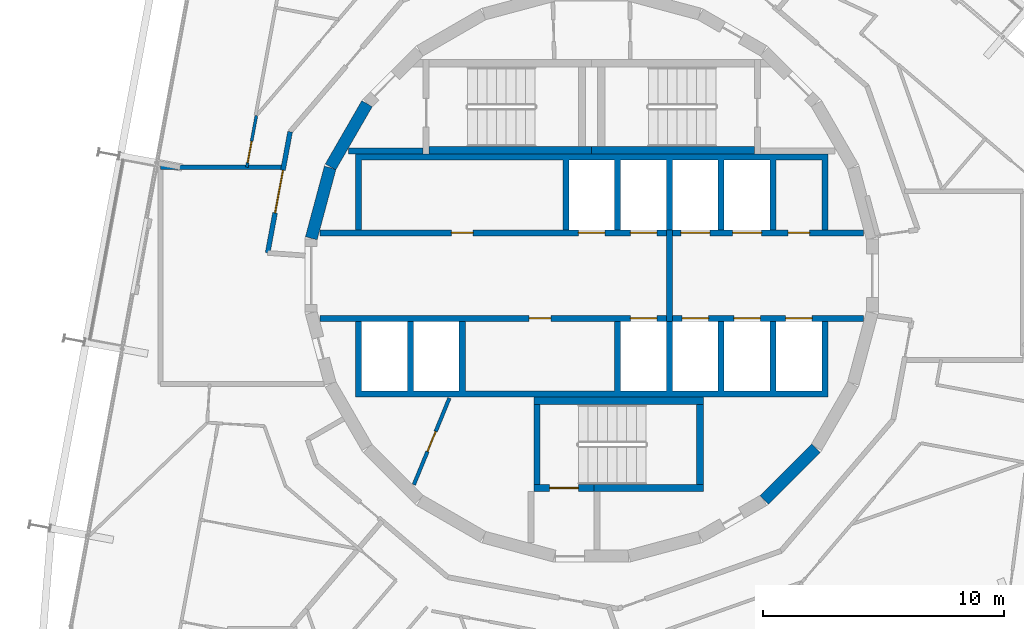
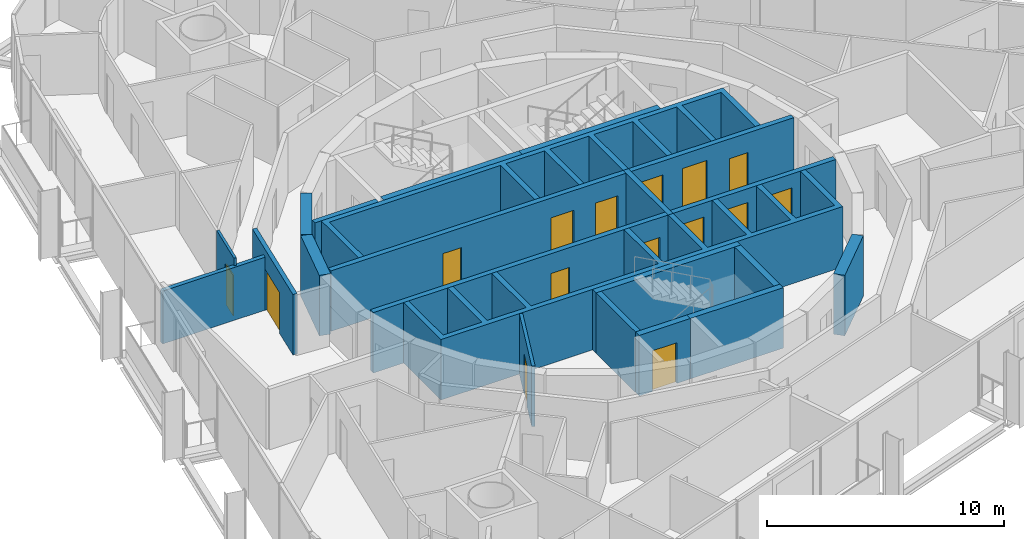
# One storey, part 12 of 17: 22 walls, 15 doors, 15 openings.
"""IFC4 building model written with IfcOpenShell, lengths in metres."""

from ifc_helpers import new_model, si_unit, direction, frame, frame_2d, origin, place, context, subcontext, project, spatial, polyline, rectangle, outline, extrude, material, layer, layer_set, type_object, element, fill, save


model = new_model("IFC4")

# Units and contexts
model_context = context("Model", 3, precision=1e-05, world=origin(), true_north=direction((0.0, 1.0)))
body_context = subcontext(model_context, "Body", "Model", "MODEL_VIEW")
ifc_project = project(units=[si_unit("LENGTHUNIT", "METRE"), si_unit("AREAUNIT", "SQUARE_METRE"), si_unit("VOLUMEUNIT", "CUBIC_METRE"), si_unit("PLANEANGLEUNIT", "RADIAN"), si_unit("MASSUNIT", "GRAM", prefix="KILO")], contexts=[model_context])

# Site, building, storey
site_placement = place(None, origin())
site = spatial("IfcSite", under=ifc_project, at=site_placement, CompositionType="ELEMENT")
building_placement = place(site_placement, origin())
building = spatial("IfcBuilding", under=site, at=building_placement, Name="Spindle Arch Residences", CompositionType="ELEMENT")
storey_placement = place(building_placement, frame((0.0, 0.0, 172.699951171875)))
storey = spatial("IfcBuildingStorey", under=building, at=storey_placement, Name="L43", CompositionType="ELEMENT", Elevation=172.699951171875)

# Walls
ifc_material_1 = material(Name="Concrete C50/60", Category="concrete")
ifc_layer_1 = layer(ifc_material_1, 0.5)
ifc_layer_set_1 = layer_set([ifc_layer_1], Name="Core outline wall 500")
wall_type_1 = type_object("IfcWallType", Name="Core outline wall 500", PredefinedType="SHEAR", material=ifc_layer_set_1)
wall_1_placement = place(storey_placement, frame((7.163818359375, -9.30810546875, 0.0), z_axis=(0.0, 0.0, 1.0), x_axis=(0.707106781187, 0.707106781187, 0.0)))
element("IfcWall", 1, at=wall_1_placement, inside=storey, type_object=wall_type_1, Name="Core outline wall 3", PredefinedType="SHEAR", context=body_context, shape_type="SweptSolid", body=[
    extrude(rectangle(XDim=3.032470703125, YDim=0.5, at=frame_2d((1.51611328125, 0.0))), origin(), (0.0, 0.0, 1.0), 3.1201171875),
])
for number, where, z_axis, x_axis, name in (
    (2, (-9.32861328125, 7.13671875, 0.0), (0.0, 0.0, 1.0), (-0.500087131594, -0.865975092491, 0.0), "Core outline wall 16"),
    (3, (-10.858154296875, 4.479248046875, 0.0), (0.0, 0.0, 1.0), (-0.258734743916, -0.965948410781, 0.0), "Core outline wall 17"),
):
    element("IfcWall", number, at=place(storey_placement, frame(where, z_axis=z_axis, x_axis=x_axis)), inside=storey, type_object=wall_type_1, Name=name, PredefinedType="SHEAR", context=body_context, shape_type="SweptSolid", body=[
        extrude(rectangle(XDim=3.03271484375, YDim=0.5, at=frame_2d((1.516357421875, 0.0))), origin(), (0.0, 0.0, 1.0), 3.1201171875),
    ])

# Wall, openings, doors
ifc_material_2 = material(Name="Concrete C40/50", Category="concrete")
ifc_layer_2 = layer(ifc_material_2, 0.25)
ifc_layer_set_2 = layer_set([ifc_layer_2], Name="Fire-lift lobby wall 250")
wall_type_2 = type_object("IfcWallType", Name="Fire-lift lobby wall 250", PredefinedType="SHEAR", material=ifc_layer_set_2)
wall_2_placement = place(storey_placement, frame((3.35009765625, 1.77490234375, 0.0), z_axis=(0.0, 0.0, 1.0), x_axis=(1.0, 0.0, 0.0)))
wall_2 = element("IfcWall", 4, at=wall_2_placement, inside=storey, type_object=wall_type_2, Name="Lift shaft front wall NE", PredefinedType="SHEAR", context=body_context, shape_type="SweptSolid", body=[
    extrude(rectangle(XDim=7.929931640625, YDim=0.25, at=frame_2d((3.96484375, 0.0))), origin(), (0.0, 0.0, 1.0), 3.1201171875),
])
opening_1_placement = place(wall_2_placement, frame((0.35009765625, 0.0, 0.0)))
opening_1 = element("IfcOpeningElement", 5, at=opening_1_placement, cuts=wall_2, Name="Opening R4C0-SLD01", PredefinedType="OPENING", context=body_context, shape_type="SweptSolid", body=[
    extrude(rectangle(XDim=1.199951171875, YDim=2.39990234375, at=frame_2d((0.60009765625, 1.199951171875))), frame((0.0, 0.135009765625, 0.0), z_axis=(0.0, -1.0, 0.0), x_axis=(1.0, 0.0, 0.0)), (0.0, 0.0, 1.0), 0.27001953125),
])
opening_2_placement = place(wall_2_placement, frame((2.5, 0.0, 0.0)))
opening_2 = element("IfcOpeningElement", 6, at=opening_2_placement, cuts=wall_2, Name="Opening R4C0-SLD02", PredefinedType="OPENING", context=body_context, shape_type="SweptSolid", body=[
    extrude(rectangle(XDim=1.199951171875, YDim=2.39990234375, at=frame_2d((0.60009765625, 1.199951171875))), frame((0.0, 0.135009765625, 0.0), z_axis=(0.0, -1.0, 0.0), x_axis=(1.0, 0.0, 0.0)), (0.0, 0.0, 1.0), 0.27001953125),
])
opening_3_placement = place(wall_2_placement, frame((4.800048828125, 0.0, 0.0)))
opening_3 = element("IfcOpeningElement", 7, at=opening_3_placement, cuts=wall_2, Name="Opening R4C0-WD02", PredefinedType="OPENING", context=body_context, shape_type="SweptSolid", body=[
    extrude(rectangle(XDim=0.89990234375, YDim=2.10009765625, at=frame_2d((0.449951171875, 1.050048828125))), frame((0.0, 0.135009765625, 0.0), z_axis=(0.0, -1.0, 0.0), x_axis=(1.0, 0.0, 0.0)), (0.0, 0.0, 1.0), 0.27001953125),
])
ifc_material_3 = material(Name="Steel, fire-resisting landing door", Category="steel")
door_type_1 = type_object("IfcDoorType", Name="Service lift landing door 1200x2400", OperationType="DOUBLE_DOOR_SLIDING", PredefinedType="DOOR", material=ifc_material_3)
door_1_placement = place(opening_1_placement, origin())
door_1 = element("IfcDoor", 8, at=door_1_placement, inside=storey, type_object=door_type_1, Name="Service lift landing door R4C0-SLD01", OperationType="DOUBLE_DOOR_SLIDING", OverallHeight=2.39990234375, OverallWidth=1.199951171875, PredefinedType="DOOR", context=body_context, shape_type="SweptSolid", body=[
    extrude(rectangle(XDim=1.199951171875, YDim=2.39990234375, at=frame_2d((0.60009765625, 1.199951171875))), frame((0.0, 0.02490234375, 0.0), z_axis=(0.0, -1.0, 0.0), x_axis=(1.0, 0.0, 0.0)), (0.0, 0.0, 1.0), 0.050048828125),
])
fill(opening_1, door_1)
door_2_placement = place(opening_2_placement, origin())
door_2 = element("IfcDoor", 9, at=door_2_placement, inside=storey, type_object=door_type_1, Name="Service lift landing door R4C0-SLD02", OperationType="DOUBLE_DOOR_SLIDING", OverallHeight=2.39990234375, OverallWidth=1.199951171875, PredefinedType="DOOR", context=body_context, shape_type="SweptSolid", body=[
    extrude(rectangle(XDim=1.199951171875, YDim=2.39990234375, at=frame_2d((0.60009765625, 1.199951171875))), frame((0.0, 0.02490234375, 0.0), z_axis=(0.0, -1.0, 0.0), x_axis=(1.0, 0.0, 0.0)), (0.0, 0.0, 1.0), 0.050048828125),
])
fill(opening_2, door_2)
ifc_material_4 = material(Name="Steel, fire-resisting door", Category="steel")
door_type_2 = type_object("IfcDoorType", Name="Service room door 900x2100", OperationType="SINGLE_SWING_LEFT", PredefinedType="DOOR", material=ifc_material_4)
door_3_placement = place(opening_3_placement, origin())
door_3 = element("IfcDoor", 10, at=door_3_placement, inside=storey, type_object=door_type_2, Name="Service room door R4C0-WD02", OperationType="SINGLE_SWING_RIGHT", OverallHeight=2.10009765625, OverallWidth=0.89990234375, PredefinedType="DOOR", context=body_context, shape_type="SweptSolid", body=[
    extrude(rectangle(XDim=0.89990234375, YDim=2.10009765625, at=frame_2d((0.449951171875, 1.050048828125))), frame((0.0, 0.02490234375, 0.0), z_axis=(0.0, -1.0, 0.0), x_axis=(1.0, 0.0, 0.0)), (0.0, 0.0, 1.0), 0.050048828125),
])
fill(opening_3, door_3)

# Wall
wall_3_placement = place(storey_placement, frame((3.22509765625, -1.89990234375, 0.0), z_axis=(0.0, 0.0, 1.0), x_axis=(0.0, 1.0, 0.0)))
element("IfcWall", 11, at=wall_3_placement, inside=storey, type_object=wall_type_2, Name="Fire-fighting lobby partition", PredefinedType="SHEAR", context=body_context, shape_type="SweptSolid", body=[
    extrude(rectangle(XDim=3.7998046875, YDim=0.25, at=frame_2d((1.89990234375, 0.0))), origin(), (0.0, 0.0, 1.0), 3.1201171875),
])

# Wall, openings, doors
ifc_material_5 = material(Name="Concrete C50/60", Category="concrete")
ifc_layer_3 = layer(ifc_material_5, 0.25)
ifc_layer_set_3 = layer_set([ifc_layer_3], Name="Fire-lift shaft wall 250")
wall_type_3 = type_object("IfcWallType", Name="Fire-lift shaft wall 250", PredefinedType="SHEAR", material=ifc_layer_set_3)
wall_4_placement = place(storey_placement, frame((3.35009765625, -1.77490234375, 0.0), z_axis=(0.0, 0.0, 1.0), x_axis=(1.0, 0.0, 0.0)))
wall_4 = element("IfcWall", 12, at=wall_4_placement, inside=storey, type_object=wall_type_3, Name="Lift shaft front wall SE", PredefinedType="SHEAR", context=body_context, shape_type="SweptSolid", body=[
    extrude(rectangle(XDim=7.929931640625, YDim=0.25, at=frame_2d((3.96484375, 0.0))), origin(), (0.0, 0.0, 1.0), 3.1201171875),
])
opening_4_placement = place(wall_4_placement, frame((0.39990234375, 0.0, 0.0)))
opening_4 = element("IfcOpeningElement", 13, at=opening_4_placement, cuts=wall_4, Name="Opening R4C0-FLD01", PredefinedType="OPENING", context=body_context, shape_type="SweptSolid", body=[
    extrude(rectangle(XDim=1.10009765625, YDim=2.39990234375, at=frame_2d((0.550048828125, 1.199951171875))), frame((0.0, 0.135009765625, 0.0), z_axis=(0.0, -1.0, 0.0), x_axis=(1.0, 0.0, 0.0)), (0.0, 0.0, 1.0), 0.27001953125),
])
opening_5_placement = place(wall_4_placement, frame((2.550048828125, 0.0, 0.0)))
opening_5 = element("IfcOpeningElement", 14, at=opening_5_placement, cuts=wall_4, Name="Opening R4C0-FLD02", PredefinedType="OPENING", context=body_context, shape_type="SweptSolid", body=[
    extrude(rectangle(XDim=1.10009765625, YDim=2.39990234375, at=frame_2d((0.550048828125, 1.199951171875))), frame((0.0, 0.135009765625, 0.0), z_axis=(0.0, -1.0, 0.0), x_axis=(1.0, 0.0, 0.0)), (0.0, 0.0, 1.0), 0.27001953125),
])
opening_6_placement = place(wall_4_placement, frame((4.699951171875, 0.0, 0.0)))
opening_6 = element("IfcOpeningElement", 15, at=opening_6_placement, cuts=wall_4, Name="Opening R4C0-FLD03", PredefinedType="OPENING", context=body_context, shape_type="SweptSolid", body=[
    extrude(rectangle(XDim=1.10009765625, YDim=2.39990234375, at=frame_2d((0.550048828125, 1.199951171875))), frame((0.0, 0.135009765625, 0.0), z_axis=(0.0, -1.0, 0.0), x_axis=(1.0, 0.0, 0.0)), (0.0, 0.0, 1.0), 0.27001953125),
])
ifc_material_6 = material(Name="Steel, fire-resisting landing door", Category="steel")
door_type_3 = type_object("IfcDoorType", Name="Fire-fighting lift landing door 1100x2400", OperationType="DOUBLE_DOOR_SLIDING", PredefinedType="DOOR", material=ifc_material_6)
door_4_placement = place(opening_4_placement, origin())
door_4 = element("IfcDoor", 16, at=door_4_placement, inside=storey, type_object=door_type_3, Name="Fire-fighting lift landing door R4C0-FLD01", OperationType="DOUBLE_DOOR_SLIDING", OverallHeight=2.39990234375, OverallWidth=1.10009765625, PredefinedType="DOOR", context=body_context, shape_type="SweptSolid", body=[
    extrude(rectangle(XDim=1.10009765625, YDim=2.39990234375, at=frame_2d((0.550048828125, 1.199951171875))), frame((0.0, 0.02490234375, 0.0), z_axis=(0.0, -1.0, 0.0), x_axis=(1.0, 0.0, 0.0)), (0.0, 0.0, 1.0), 0.050048828125),
])
fill(opening_4, door_4)
door_5_placement = place(opening_5_placement, origin())
door_5 = element("IfcDoor", 17, at=door_5_placement, inside=storey, type_object=door_type_3, Name="Fire-fighting lift landing door R4C0-FLD02", OperationType="DOUBLE_DOOR_SLIDING", OverallHeight=2.39990234375, OverallWidth=1.10009765625, PredefinedType="DOOR", context=body_context, shape_type="SweptSolid", body=[
    extrude(rectangle(XDim=1.10009765625, YDim=2.39990234375, at=frame_2d((0.550048828125, 1.199951171875))), frame((0.0, 0.02490234375, 0.0), z_axis=(0.0, -1.0, 0.0), x_axis=(1.0, 0.0, 0.0)), (0.0, 0.0, 1.0), 0.050048828125),
])
fill(opening_5, door_5)
door_6_placement = place(opening_6_placement, origin())
door_6 = element("IfcDoor", 18, at=door_6_placement, inside=storey, type_object=door_type_3, Name="Fire-fighting lift landing door R4C0-FLD03", OperationType="DOUBLE_DOOR_SLIDING", OverallHeight=2.39990234375, OverallWidth=1.10009765625, PredefinedType="DOOR", context=body_context, shape_type="SweptSolid", body=[
    extrude(rectangle(XDim=1.10009765625, YDim=2.39990234375, at=frame_2d((0.550048828125, 1.199951171875))), frame((0.0, 0.02490234375, 0.0), z_axis=(0.0, -1.0, 0.0), x_axis=(1.0, 0.0, 0.0)), (0.0, 0.0, 1.0), 0.050048828125),
])
fill(opening_6, door_6)

# Wall, opening, door
ifc_material_7 = material(Name="Plasterboard on steel studs", Category="steel")
ifc_layer_4 = layer(ifc_material_7, 0.1201171875)
ifc_layer_set_4 = layer_set([ifc_layer_4], Name="Flat partition 120")
wall_type_4 = type_object("IfcWallType", Name="Flat partition 120", PredefinedType="PARTITIONING", material=ifc_layer_set_4)
wall_5_placement = place(storey_placement, frame((-13.9228515625, 6.640869140625, 0.0), z_axis=(0.0, 0.0, 1.0), x_axis=(-0.182209715759, -0.983259690765, 0.0)))
wall_5 = element("IfcWall", 19, at=wall_5_placement, inside=storey, type_object=wall_type_4, Name="Flat partition R4C0-W071", PredefinedType="PARTITIONING", context=body_context, shape_type="SweptSolid", body=[
    extrude(rectangle(XDim=2.17724609375, YDim=0.1201171875, at=frame_2d((1.088623046875, 0.0))), origin(), (0.0, 0.0, 1.0), 3.1201171875),
])
opening_7_placement = place(wall_5_placement, frame((1.08349609375, 0.0, 0.0)))
opening_7 = element("IfcOpeningElement", 20, at=opening_7_placement, cuts=wall_5, Name="Opening R4C0-ID12", PredefinedType="OPENING", context=body_context, shape_type="SweptSolid", body=[
    extrude(rectangle(XDim=0.89990234375, YDim=2.10009765625, at=frame_2d((0.449951171875, 1.050048828125))), frame((0.0, 0.070068359375, 0.0), z_axis=(0.0, -1.0, 0.0), x_axis=(1.0, 0.0, 0.0)), (0.0, 0.0, 1.0), 0.14013671875),
])
ifc_material_8 = material(Name="Timber door set", Category="wood")
door_type_4 = type_object("IfcDoorType", Name="Room door 900x2100", OperationType="NOTDEFINED", PredefinedType="DOOR", material=ifc_material_8)
door_7_placement = place(opening_7_placement, origin())
door_7 = element("IfcDoor", 21, at=door_7_placement, inside=storey, type_object=door_type_4, Name="Room door R4C0-ID12", OperationType="SINGLE_SWING_LEFT", OverallHeight=2.10009765625, OverallWidth=0.89990234375, PredefinedType="DOOR", context=body_context, shape_type="SweptSolid", body=[
    extrude(rectangle(XDim=0.89990234375, YDim=2.10009765625, at=frame_2d((0.449951171875, 1.050048828125))), frame((0.0, 0.02490234375, 0.0), z_axis=(0.0, -1.0, 0.0), x_axis=(1.0, 0.0, 0.0)), (0.0, 0.0, 1.0), 0.050048828125),
])
fill(opening_7, door_7)

ifc_material_9 = material(Name="Calcium silicate block, plastered")
ifc_layer_5 = layer(ifc_material_9, 0.199951171875)
ifc_layer_set_5 = layer_set([ifc_layer_5], Name="Lift lobby bay wall 200")
wall_type_5 = type_object("IfcWallType", Name="Lift lobby bay wall 200", PredefinedType="STANDARD", material=ifc_layer_set_5)
wall_6_placement = place(storey_placement, frame((-12.521240234375, 5.972412109375, 0.0), z_axis=(0.0, 0.0, 1.0), x_axis=(-0.182251559718, -0.983251935661, 0.0)))
wall_6 = element("IfcWall", 22, at=wall_6_placement, inside=storey, type_object=wall_type_5, Name="Lift lobby bay wall R4C0-W007", PredefinedType="STANDARD", context=body_context, shape_type="SweptSolid", body=[
    extrude(rectangle(XDim=5.1171875, YDim=0.199951171875, at=frame_2d((2.55859375, 0.0))), origin(), (0.0, 0.0, 1.0), 3.1201171875),
])
opening_8_placement = place(wall_6_placement, frame((1.62744140625, 0.0, 0.0)))
opening_8 = element("IfcOpeningElement", 23, at=opening_8_placement, cuts=wall_6, Name="Opening R4C0-LB01", PredefinedType="OPENING", context=body_context, shape_type="SweptSolid", body=[
    extrude(rectangle(XDim=1.800048828125, YDim=2.10009765625, at=frame_2d((0.89990234375, 1.050048828125))), frame((0.0, 0.10986328125, 0.0), z_axis=(0.0, -1.0, 0.0), x_axis=(1.0, 0.0, 0.0)), (0.0, 0.0, 1.0), 0.219970703125),
])
ifc_material_10 = material(Name="Steel, fire-resisting door", Category="steel")
door_type_5 = type_object("IfcDoorType", Name="Lift lobby bay door 1800x2100", OperationType="NOTDEFINED", PredefinedType="DOOR", material=ifc_material_10)
door_8_placement = place(opening_8_placement, origin())
door_8 = element("IfcDoor", 24, at=door_8_placement, inside=storey, type_object=door_type_5, Name="Lift lobby bay door R4C0-LB01", OperationType="DOUBLE_DOOR_SINGLE_SWING", OverallHeight=2.10009765625, OverallWidth=1.800048828125, PredefinedType="DOOR", context=body_context, shape_type="SweptSolid", body=[
    extrude(rectangle(XDim=1.800048828125, YDim=2.10009765625, at=frame_2d((0.89990234375, 1.050048828125))), frame((0.0, 0.02490234375, 0.0), z_axis=(0.0, -1.0, 0.0), x_axis=(1.0, 0.0, 0.0)), (0.0, 0.0, 1.0), 0.050048828125),
])
fill(opening_8, door_8)

# Wall
ifc_material_11 = material(Name="Calcium silicate block, plastered")
ifc_layer_6 = layer(ifc_material_11, 0.199951171875)
ifc_layer_set_6 = layer_set([ifc_layer_6], Name="Lift lobby bay wall 200 under beam 2730")
wall_type_6 = type_object("IfcWallType", Name="Lift lobby bay wall 200 under beam 2730", PredefinedType="STANDARD", material=ifc_layer_set_6)
wall_7_placement = place(storey_placement, frame((-12.794189453125, 4.5, 0.0), z_axis=(0.0, 0.0, 1.0), x_axis=(-1.0, 0.0, 0.0)))
element("IfcWall", 25, at=wall_7_placement, inside=storey, type_object=wall_type_6, Name="Lift lobby bay wall R4C0-W020", PredefinedType="STANDARD", context=body_context, shape_type="SweptSolid", body=[
    extrude(rectangle(XDim=5.105712890625, YDim=0.199951171875, at=frame_2d((2.552734375, 0.0))), origin(), (0.0, 0.0, 1.0), 2.72998046875),
])

# Wall, openings, doors
ifc_material_12 = material(Name="Concrete C50/60", Category="concrete")
ifc_layer_7 = layer(ifc_material_12, 0.25)
ifc_layer_set_7 = layer_set([ifc_layer_7], Name="Lift shaft wall 250")
wall_type_7 = type_object("IfcWallType", Name="Lift shaft wall 250", PredefinedType="SHEAR", material=ifc_layer_set_7)
wall_8_placement = place(storey_placement, frame((-11.280029296875, 1.77490234375, 0.0), z_axis=(0.0, 0.0, 1.0), x_axis=(1.0, 0.0, 0.0)))
wall_8 = element("IfcWall", 26, at=wall_8_placement, inside=storey, type_object=wall_type_7, Name="Lift shaft front wall NW", PredefinedType="SHEAR", context=body_context, shape_type="SweptSolid", body=[
    extrude(rectangle(XDim=14.380126953125, YDim=0.25, at=frame_2d((7.18994140625, 0.0))), origin(), (0.0, 0.0, 1.0), 3.1201171875),
])
opening_9_placement = place(wall_8_placement, frame((10.72998046875, 0.0, 0.0)))
opening_9 = element("IfcOpeningElement", 27, at=opening_9_placement, cuts=wall_8, Name="Opening R4C0-LD01", PredefinedType="OPENING", context=body_context, shape_type="SweptSolid", body=[
    extrude(rectangle(XDim=1.10009765625, YDim=2.10009765625, at=frame_2d((0.550048828125, 1.050048828125))), frame((0.0, 0.135009765625, 0.0), z_axis=(0.0, -1.0, 0.0), x_axis=(1.0, 0.0, 0.0)), (0.0, 0.0, 1.0), 0.27001953125),
])
opening_10_placement = place(wall_8_placement, frame((12.8798828125, 0.0, 0.0)))
opening_10 = element("IfcOpeningElement", 28, at=opening_10_placement, cuts=wall_8, Name="Opening R4C0-LD02", PredefinedType="OPENING", context=body_context, shape_type="SweptSolid", body=[
    extrude(rectangle(XDim=1.10009765625, YDim=2.10009765625, at=frame_2d((0.550048828125, 1.050048828125))), frame((0.0, 0.135009765625, 0.0), z_axis=(0.0, -1.0, 0.0), x_axis=(1.0, 0.0, 0.0)), (0.0, 0.0, 1.0), 0.27001953125),
])
opening_11_placement = place(wall_8_placement, frame((5.455078125, 0.0, 0.0)))
opening_11 = element("IfcOpeningElement", 29, at=opening_11_placement, cuts=wall_8, Name="Opening R4C0-WD01", PredefinedType="OPENING", context=body_context, shape_type="SweptSolid", body=[
    extrude(rectangle(XDim=0.89990234375, YDim=2.10009765625, at=frame_2d((0.449951171875, 1.050048828125))), frame((0.0, 0.135009765625, 0.0), z_axis=(0.0, -1.0, 0.0), x_axis=(1.0, 0.0, 0.0)), (0.0, 0.0, 1.0), 0.27001953125),
])
ifc_material_13 = material(Name="Steel, fire-resisting landing door", Category="steel")
door_type_6 = type_object("IfcDoorType", Name="Lift landing door 1100x2100", OperationType="DOUBLE_DOOR_SLIDING", PredefinedType="DOOR", material=ifc_material_13)
door_9_placement = place(opening_9_placement, origin())
door_9 = element("IfcDoor", 30, at=door_9_placement, inside=storey, type_object=door_type_6, Name="Lift landing door R4C0-LD01", OperationType="DOUBLE_DOOR_SLIDING", OverallHeight=2.10009765625, OverallWidth=1.10009765625, PredefinedType="DOOR", context=body_context, shape_type="SweptSolid", body=[
    extrude(rectangle(XDim=1.10009765625, YDim=2.10009765625, at=frame_2d((0.550048828125, 1.050048828125))), frame((0.0, 0.02490234375, 0.0), z_axis=(0.0, -1.0, 0.0), x_axis=(1.0, 0.0, 0.0)), (0.0, 0.0, 1.0), 0.050048828125),
])
fill(opening_9, door_9)
door_10_placement = place(opening_10_placement, origin())
door_10 = element("IfcDoor", 31, at=door_10_placement, inside=storey, type_object=door_type_6, Name="Lift landing door R4C0-LD02", OperationType="DOUBLE_DOOR_SLIDING", OverallHeight=2.10009765625, OverallWidth=1.10009765625, PredefinedType="DOOR", context=body_context, shape_type="SweptSolid", body=[
    extrude(rectangle(XDim=1.10009765625, YDim=2.10009765625, at=frame_2d((0.550048828125, 1.050048828125))), frame((0.0, 0.02490234375, 0.0), z_axis=(0.0, -1.0, 0.0), x_axis=(1.0, 0.0, 0.0)), (0.0, 0.0, 1.0), 0.050048828125),
])
fill(opening_10, door_10)
door_11_placement = place(opening_11_placement, origin())
door_11 = element("IfcDoor", 32, at=door_11_placement, inside=storey, type_object=door_type_2, Name="Service room door R4C0-WD01", OperationType="SINGLE_SWING_LEFT", OverallHeight=2.10009765625, OverallWidth=0.89990234375, PredefinedType="DOOR", context=body_context, shape_type="SweptSolid", body=[
    extrude(rectangle(XDim=0.89990234375, YDim=2.10009765625, at=frame_2d((0.449951171875, 1.050048828125))), frame((0.0, 0.02490234375, 0.0), z_axis=(0.0, -1.0, 0.0), x_axis=(1.0, 0.0, 0.0)), (0.0, 0.0, 1.0), 0.050048828125),
])
fill(opening_11, door_11)

wall_9_placement = place(storey_placement, frame((-11.280029296875, -1.77490234375, 0.0), z_axis=(0.0, 0.0, 1.0), x_axis=(1.0, 0.0, 0.0)))
wall_9 = element("IfcWall", 33, at=wall_9_placement, inside=storey, type_object=wall_type_7, Name="Lift shaft front wall SW", PredefinedType="SHEAR", context=body_context, shape_type="SweptSolid", body=[
    extrude(rectangle(XDim=14.380126953125, YDim=0.25, at=frame_2d((7.18994140625, 0.0))), origin(), (0.0, 0.0, 1.0), 3.1201171875),
])
opening_12_placement = place(wall_9_placement, frame((12.8798828125, 0.0, 0.0)))
opening_12 = element("IfcOpeningElement", 34, at=opening_12_placement, cuts=wall_9, Name="Opening R4C0-LD03", PredefinedType="OPENING", context=body_context, shape_type="SweptSolid", body=[
    extrude(rectangle(XDim=1.10009765625, YDim=2.10009765625, at=frame_2d((0.550048828125, 1.050048828125))), frame((0.0, 0.135009765625, 0.0), z_axis=(0.0, -1.0, 0.0), x_axis=(1.0, 0.0, 0.0)), (0.0, 0.0, 1.0), 0.27001953125),
])
opening_13_placement = place(wall_9_placement, frame((8.679931640625, 0.0, 0.0)))
opening_13 = element("IfcOpeningElement", 35, at=opening_13_placement, cuts=wall_9, Name="Opening R4C0-WD03", PredefinedType="OPENING", context=body_context, shape_type="SweptSolid", body=[
    extrude(rectangle(XDim=0.89990234375, YDim=2.10009765625, at=frame_2d((0.449951171875, 1.050048828125))), frame((0.0, 0.135009765625, 0.0), z_axis=(0.0, -1.0, 0.0), x_axis=(1.0, 0.0, 0.0)), (0.0, 0.0, 1.0), 0.27001953125),
])
door_12_placement = place(opening_12_placement, origin())
door_12 = element("IfcDoor", 36, at=door_12_placement, inside=storey, type_object=door_type_6, Name="Lift landing door R4C0-LD03", OperationType="DOUBLE_DOOR_SLIDING", OverallHeight=2.10009765625, OverallWidth=1.10009765625, PredefinedType="DOOR", context=body_context, shape_type="SweptSolid", body=[
    extrude(rectangle(XDim=1.10009765625, YDim=2.10009765625, at=frame_2d((0.550048828125, 1.050048828125))), frame((0.0, 0.02490234375, 0.0), z_axis=(0.0, -1.0, 0.0), x_axis=(1.0, 0.0, 0.0)), (0.0, 0.0, 1.0), 0.050048828125),
])
fill(opening_12, door_12)
door_13_placement = place(opening_13_placement, origin())
door_13 = element("IfcDoor", 37, at=door_13_placement, inside=storey, type_object=door_type_2, Name="Service room door R4C0-WD03", OperationType="SINGLE_SWING_LEFT", OverallHeight=2.10009765625, OverallWidth=0.89990234375, PredefinedType="DOOR", context=body_context, shape_type="SweptSolid", body=[
    extrude(rectangle(XDim=0.89990234375, YDim=2.10009765625, at=frame_2d((0.449951171875, 1.050048828125))), frame((0.0, 0.02490234375, 0.0), z_axis=(0.0, -1.0, 0.0), x_axis=(1.0, 0.0, 0.0)), (0.0, 0.0, 1.0), 0.050048828125),
])
fill(opening_13, door_13)

# Walls
ifc_material_14 = material(Name="Concrete C50/60", Category="concrete")
wall_type_8 = type_object("IfcWallType", Name="Lift shaft wall profile", PredefinedType="SHEAR", material=ifc_material_14)
wall_10_placement = place(storey_placement, origin())
element("IfcWall", 38, at=wall_10_placement, inside=storey, type_object=wall_type_8, Name="Lift shaft walls N", PredefinedType="SHEAR", context=body_context, shape_type="SweptSolid", body=[
    extrude(outline(polyline([(-9.550048828125, 4.800048828125), (-1.199951171875, 4.800048828125), (-1.199951171875, 1.89990234375), (-0.949951171875, 1.89990234375), (-0.949951171875, 4.800048828125), (0.949951171875, 4.800048828125), (0.949951171875, 1.89990234375), (1.199951171875, 1.89990234375), (1.199951171875, 4.800048828125), (3.10009765625, 4.800048828125), (3.10009765625, 1.89990234375), (3.35009765625, 1.89990234375), (3.35009765625, 4.800048828125), (5.25, 4.800048828125), (5.25, 1.89990234375), (5.5, 1.89990234375), (5.5, 4.800048828125), (7.39990234375, 4.800048828125), (7.39990234375, 1.89990234375), (7.64990234375, 1.89990234375), (7.64990234375, 4.800048828125), (9.550048828125, 4.800048828125), (9.550048828125, 1.89990234375), (9.800048828125, 1.89990234375), (9.800048828125, 4.800048828125), (9.800048828125, 5.050048828125), (-9.800048828125, 5.050048828125), (-9.800048828125, 4.800048828125), (-9.800048828125, 1.89990234375), (-9.550048828125, 1.89990234375), (-9.550048828125, 4.800048828125)])), origin(), (0.0, 0.0, 1.0), 3.1201171875),
])
wall_11_placement = place(storey_placement, origin())
element("IfcWall", 39, at=wall_11_placement, inside=storey, type_object=wall_type_8, Name="Lift shaft walls S", PredefinedType="SHEAR", context=body_context, shape_type="SweptSolid", body=[
    extrude(outline(polyline([(9.800048828125, -5.050048828125), (9.800048828125, -4.800048828125), (9.800048828125, -1.89990234375), (9.550048828125, -1.89990234375), (9.550048828125, -4.800048828125), (7.64990234375, -4.800048828125), (7.64990234375, -1.89990234375), (7.39990234375, -1.89990234375), (7.39990234375, -4.800048828125), (5.5, -4.800048828125), (5.5, -1.89990234375), (5.25, -1.89990234375), (5.25, -4.800048828125), (3.35009765625, -4.800048828125), (3.35009765625, -1.89990234375), (3.10009765625, -1.89990234375), (3.10009765625, -4.800048828125), (1.199951171875, -4.800048828125), (1.199951171875, -1.89990234375), (0.949951171875, -1.89990234375), (0.949951171875, -4.800048828125), (-5.25, -4.800048828125), (-5.25, -1.89990234375), (-5.5, -1.89990234375), (-5.5, -4.800048828125), (-7.39990234375, -4.800048828125), (-7.39990234375, -1.89990234375), (-7.64990234375, -1.89990234375), (-7.64990234375, -4.800048828125), (-9.550048828125, -4.800048828125), (-9.550048828125, -1.89990234375), (-9.800048828125, -1.89990234375), (-9.800048828125, -4.800048828125), (-9.800048828125, -5.050048828125), (9.800048828125, -5.050048828125)])), origin(), (0.0, 0.0, 1.0), 3.1201171875),
])

# Wall, opening, door
ifc_material_15 = material(Name="Concrete C25/30", Category="concrete")
ifc_layer_8 = layer(ifc_material_15, 0.14990234375)
ifc_layer_set_8 = layer_set([ifc_layer_8], Name="Service room partition 150")
wall_type_9 = type_object("IfcWallType", Name="Service room partition 150", PredefinedType="PARTITIONING", material=ifc_layer_set_8)
wall_12_placement = place(storey_placement, frame((-7.385009765625, -8.680908203125, 0.0), z_axis=(0.0, 0.0, 1.0), x_axis=(0.379804590409, 0.925066739811, 0.0)))
wall_12 = element("IfcWall", 40, at=wall_12_placement, inside=storey, type_object=wall_type_9, Name="Core service room partition", PredefinedType="PARTITIONING", context=body_context, shape_type="SweptSolid", body=[
    extrude(rectangle(XDim=3.885009765625, YDim=0.14990234375, at=frame_2d((1.9423828125, 0.0))), origin(), (0.0, 0.0, 1.0), 3.1201171875),
])
opening_14_placement = place(wall_12_placement, frame((1.49267578125, 0.0, 0.0)))
opening_14 = element("IfcOpeningElement", 41, at=opening_14_placement, cuts=wall_12, Name="Opening R4C0-WD04", PredefinedType="OPENING", context=body_context, shape_type="SweptSolid", body=[
    extrude(rectangle(XDim=0.89990234375, YDim=2.10009765625, at=frame_2d((0.449951171875, 1.050048828125))), frame((0.0, 0.0849609375, 0.0), z_axis=(0.0, -1.0, 0.0), x_axis=(1.0, 0.0, 0.0)), (0.0, 0.0, 1.0), 0.169921875),
])
door_14_placement = place(opening_14_placement, origin())
door_14 = element("IfcDoor", 42, at=door_14_placement, inside=storey, type_object=door_type_2, Name="Service room door R4C0-WD04", OperationType="SINGLE_SWING_RIGHT", OverallHeight=2.10009765625, OverallWidth=0.89990234375, PredefinedType="DOOR", context=body_context, shape_type="SweptSolid", body=[
    extrude(rectangle(XDim=0.89990234375, YDim=2.10009765625, at=frame_2d((0.449951171875, 1.050048828125))), frame((0.0, 0.02490234375, 0.0), z_axis=(0.0, -1.0, 0.0), x_axis=(1.0, 0.0, 0.0)), (0.0, 0.0, 1.0), 0.050048828125),
])
fill(opening_14, door_14)

# Walls
ifc_material_16 = material(Name="Concrete C40/50", Category="concrete")
ifc_layer_9 = layer(ifc_material_16, 0.25)
ifc_layer_set_9 = layer_set([ifc_layer_9], Name="Stair airlock wall 250")
wall_type_10 = type_object("IfcWallType", Name="Stair airlock wall 250", PredefinedType="SHEAR", material=ifc_layer_set_9)
wall_13_placement = place(storey_placement, frame((-7.0, 5.175048828125, 0.0), z_axis=(0.0, 0.0, 1.0), x_axis=(-1.0, 0.0, 0.0)))
element("IfcWall", 43, at=wall_13_placement, inside=storey, type_object=wall_type_10, Name="Stair ST-2 airlock wall S", PredefinedType="SHEAR", context=body_context, shape_type="SweptSolid", body=[
    extrude(rectangle(XDim=3.10009765625, YDim=0.25, at=frame_2d((1.550048828125, 0.0))), origin(), (0.0, 0.0, 1.0), 3.1201171875),
])
ifc_material_17 = material(Name="Concrete C50/60", Category="concrete")
ifc_layer_10 = layer(ifc_material_17, 0.25)
ifc_layer_set_10 = layer_set([ifc_layer_10], Name="Stair enclosure wall 250")
wall_type_11 = type_object("IfcWallType", Name="Stair enclosure wall 250", PredefinedType="SHEAR", material=ifc_layer_set_10)
wall_14_placement = place(storey_placement, frame((-2.27490234375, -8.669921875, 0.0), z_axis=(0.0, 0.0, 1.0), x_axis=(0.0, 1.0, 0.0)))
element("IfcWall", 44, at=wall_14_placement, inside=storey, type_object=wall_type_11, Name="Stair ST-3 enclosure wall W", PredefinedType="SHEAR", context=body_context, shape_type="SweptSolid", body=[
    extrude(rectangle(XDim=3.31982421875, YDim=0.25, at=frame_2d((1.659912109375, 0.0))), origin(), (0.0, 0.0, 1.0), 3.1201171875),
])
ifc_material_18 = material(Name="Concrete C50/60", Category="concrete")
ifc_layer_11 = layer(ifc_material_18, 0.300048828125)
ifc_layer_set_11 = layer_set([ifc_layer_11], Name="Stair enclosure wall 300")
wall_type_12 = type_object("IfcWallType", Name="Stair enclosure wall 300", PredefinedType="SHEAR", material=ifc_layer_set_11)
for number, where, z_axis, x_axis, name in (
    (45, (0.0, 5.199951171875, 0.0), (0.0, 0.0, 1.0), (1.0, 0.0, 0.0), "Stair ST-1 enclosure wall S"),
    (46, (-6.75, 5.199951171875, 0.0), (0.0, 0.0, 1.0), (1.0, 0.0, 0.0), "Stair ST-2 enclosure wall S"),
):
    element("IfcWall", number, at=place(storey_placement, frame(where, z_axis=z_axis, x_axis=x_axis)), inside=storey, type_object=wall_type_12, Name=name, PredefinedType="SHEAR", context=body_context, shape_type="SweptSolid", body=[
        extrude(rectangle(XDim=6.75, YDim=0.300048828125, at=frame_2d((3.375, 0.0))), origin(), (0.0, 0.0, 1.0), 3.1201171875),
    ])
wall_15_placement = place(storey_placement, frame((-2.39990234375, -5.199951171875, 0.0), z_axis=(0.0, 0.0, 1.0), x_axis=(1.0, 0.0, 0.0)))
element("IfcWall", 47, at=wall_15_placement, inside=storey, type_object=wall_type_12, Name="Stair ST-3 enclosure wall N", PredefinedType="SHEAR", context=body_context, shape_type="SweptSolid", body=[
    extrude(rectangle(XDim=7.0498046875, YDim=0.300048828125, at=frame_2d((3.52490234375, 0.0))), origin(), (0.0, 0.0, 1.0), 3.1201171875),
])
wall_16_placement = place(storey_placement, frame((4.5, -8.669921875, 0.0), z_axis=(0.0, 0.0, 1.0), x_axis=(0.0, 1.0, 0.0)))
element("IfcWall", 48, at=wall_16_placement, inside=storey, type_object=wall_type_12, Name="Stair ST-3 enclosure wall E", PredefinedType="SHEAR", context=body_context, shape_type="SweptSolid", body=[
    extrude(rectangle(XDim=3.31982421875, YDim=0.300048828125, at=frame_2d((1.659912109375, 0.0))), origin(), (0.0, 0.0, 1.0), 3.1201171875),
])
wall_17_placement = place(storey_placement, frame((0.10009765625, -8.820068359375, 0.0), z_axis=(0.0, 0.0, 1.0), x_axis=(1.0, 0.0, 0.0)))
element("IfcWall", 49, at=wall_17_placement, inside=storey, type_object=wall_type_12, Name="Stair ST-3 enclosure wall S", PredefinedType="SHEAR", context=body_context, shape_type="SweptSolid", body=[
    extrude(rectangle(XDim=4.5498046875, YDim=0.300048828125, at=frame_2d((2.27490234375, 0.0))), origin(), (0.0, 0.0, 1.0), 3.1201171875),
])

# Wall, opening, door
wall_18_placement = place(storey_placement, frame((-2.39990234375, -8.820068359375, 0.0), z_axis=(0.0, 0.0, 1.0), x_axis=(1.0, 0.0, 0.0)))
wall_18 = element("IfcWall", 50, at=wall_18_placement, inside=storey, type_object=wall_type_12, Name="Stair ST-3 door wall", PredefinedType="SHEAR", context=body_context, shape_type="SweptSolid", body=[
    extrude(rectangle(XDim=2.5, YDim=0.300048828125, at=frame_2d((1.25, 0.0))), origin(), (0.0, 0.0, 1.0), 3.1201171875),
])
opening_15_placement = place(wall_18_placement, frame((0.64990234375, 0.0, 0.0)))
opening_15 = element("IfcOpeningElement", 51, at=opening_15_placement, cuts=wall_18, Name="Opening R4C0-SD03", PredefinedType="OPENING", context=body_context, shape_type="SweptSolid", body=[
    extrude(rectangle(XDim=1.199951171875, YDim=2.10009765625, at=frame_2d((0.60009765625, 1.050048828125))), frame((0.0, 0.16015625, 0.0), z_axis=(0.0, -1.0, 0.0), x_axis=(1.0, 0.0, 0.0)), (0.0, 0.0, 1.0), 0.320068359375),
])
ifc_material_19 = material(Name="Steel, fire-resisting door", Category="steel")
door_type_7 = type_object("IfcDoorType", Name="Stair door 1200x2100", OperationType="SINGLE_SWING_RIGHT", PredefinedType="DOOR", material=ifc_material_19)
door_15_placement = place(opening_15_placement, origin())
door_15 = element("IfcDoor", 52, at=door_15_placement, inside=storey, type_object=door_type_7, Name="Stair door R4C0-SD03", OperationType="SINGLE_SWING_LEFT", OverallHeight=2.10009765625, OverallWidth=1.199951171875, PredefinedType="DOOR", context=body_context, shape_type="SweptSolid", body=[
    extrude(rectangle(XDim=1.199951171875, YDim=2.10009765625, at=frame_2d((0.60009765625, 1.050048828125))), frame((0.0, 0.02490234375, 0.0), z_axis=(0.0, -1.0, 0.0), x_axis=(1.0, 0.0, 0.0)), (0.0, 0.0, 1.0), 0.050048828125),
])
fill(opening_15, door_15)

save(model, "model.ifc")
